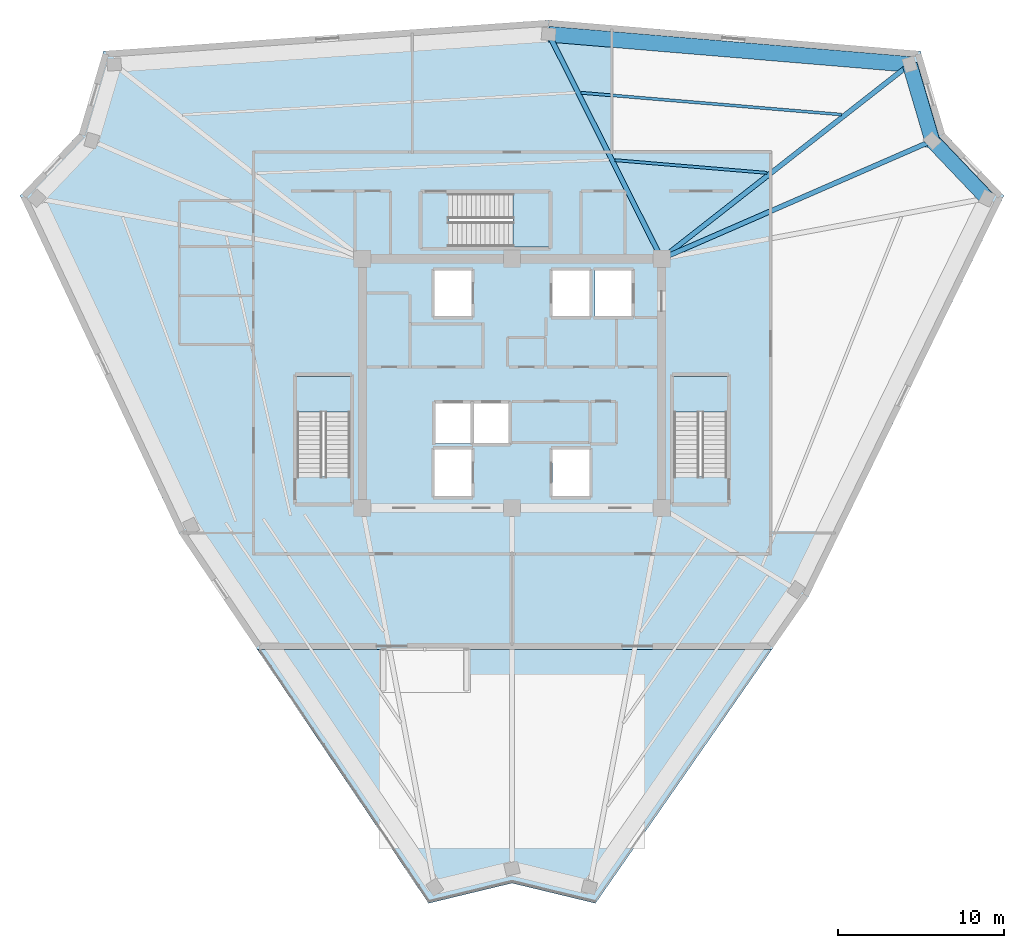
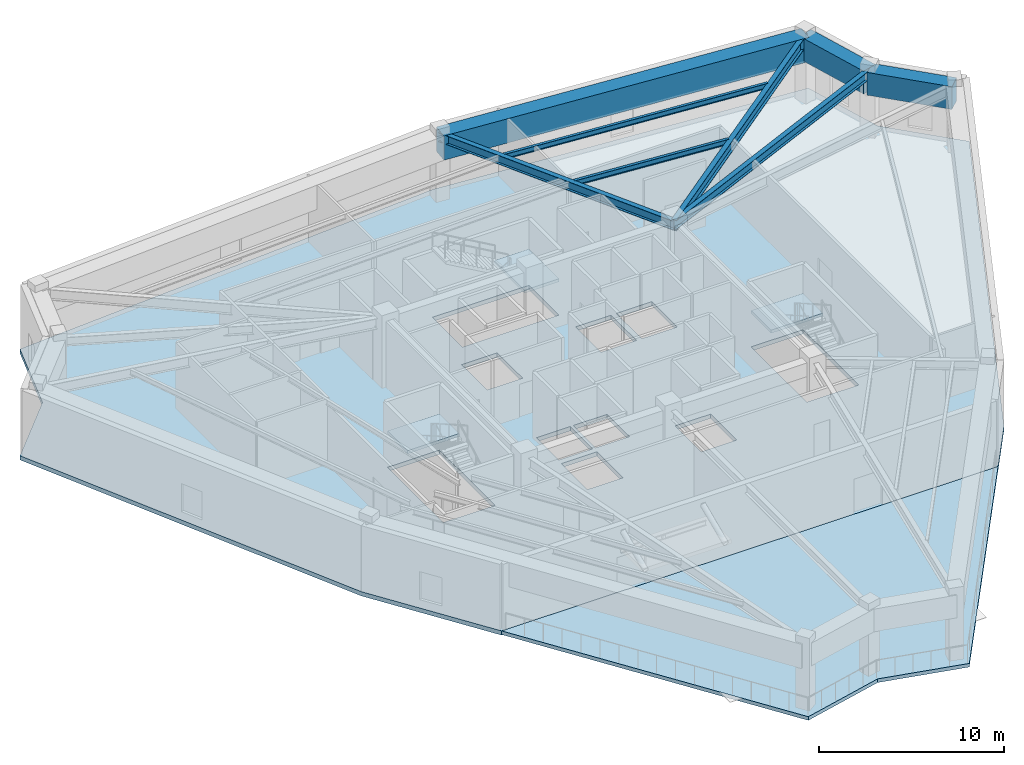
# One storey, part 2 of 12: 8 beams, 5 slabs, 3 elements without a shape of their own.
"""IFC4 building model written with IfcOpenShell, lengths in metres."""

import ifcopenshell
import ifcopenshell.guid

model = None  # the IFC model being written
_history = None  # IfcOwnerHistory: only IFC2X3 demands one
_inside = {}  # id of a spatial element -> (the spatial element, [elements in it])
_under = {}  # id of a project, library or spatial element -> (it, [spatial elements below it])
_declared = {}  # id of a project -> (the project, [libraries it declares])
_typed = {}  # id of a type object -> (the type object, [elements of that type])
_made_of = {}  # id of a material, layer set ... -> (it, [elements and type objects made of it])


def new_model(schema):
    """Start an empty IFC model of exactly this schema.

    Asked for "IFC4X3", IfcOpenShell would pick the latest addendum, in which some entities
    have other attributes; the version numbers below select the first issue.
    IFC2X3 requires an IfcOwnerHistory on every rooted entity: one is made here for all.
    """
    global model, _history
    if schema == "IFC4X3":
        model = ifcopenshell.file(schema_version=(4, 3, 0, 0))
    else:
        model = ifcopenshell.file(schema=schema)
    _inside.clear()
    _under.clear()
    _declared.clear()
    _typed.clear()
    _made_of.clear()
    _history = None
    if model.schema == "IFC2X3":
        org = make("IfcOrganization", Name="unknown")
        user = make(
            "IfcPersonAndOrganization",
            ThePerson=make("IfcPerson", FamilyName="unknown"),
            TheOrganization=org,
        )
        app = make(
            "IfcApplication",
            ApplicationDeveloper=org,
            Version="unknown",
            ApplicationFullName="unknown",
            ApplicationIdentifier="unknown",
        )
        _history = make(
            "IfcOwnerHistory",
            OwningUser=user,
            OwningApplication=app,
            ChangeAction="ADDED",
            CreationDate=0,
        )
    return model


def make(cls, **values):
    """One entity of the class cls with the attributes given. An attribute that is None is left unset."""
    return model.create_entity(
        cls, **{name: value for name, value in values.items() if value is not None}
    )


def rooted(cls, **values):
    """An entity with a GlobalId (a new one), such as an element, a storey or a relation."""
    return make(cls, GlobalId=ifcopenshell.guid.new(), OwnerHistory=_history, **values)


def si_unit(unit_type, name, prefix=None):
    """IfcSIUnit, for example si_unit("LENGTHUNIT", "METRE", prefix="MILLI")."""
    return make("IfcSIUnit", UnitType=unit_type, Prefix=prefix, Name=name)


def assignment(units):
    """IfcUnitAssignment: the units of a project."""
    return None if units is None else make("IfcUnitAssignment", Units=units)


def point(xyz):
    """IfcCartesianPoint."""
    return None if xyz is None else make("IfcCartesianPoint", Coordinates=xyz)


def direction(xyz):
    """IfcDirection."""
    return None if xyz is None else make("IfcDirection", DirectionRatios=xyz)


def frame(location, z_axis=None, x_axis=None):
    """IfcAxis2Placement3D, a coordinate frame: its origin and axes. An axis left out is left unset."""
    return make(
        "IfcAxis2Placement3D",
        Location=point(location),
        Axis=direction(z_axis),
        RefDirection=direction(x_axis),
    )


def frame_2d(location, x_axis=None):
    """IfcAxis2Placement2D, a coordinate frame in the plane: its origin and x axis."""
    return make(
        "IfcAxis2Placement2D", Location=point(location), RefDirection=direction(x_axis)
    )


def origin():
    """The frame at (0, 0, 0) with its axes left unset."""
    return frame((0.0, 0.0, 0.0))


def origin_2d():
    """The frame at (0, 0) in the plane with its x axis left unset."""
    return frame_2d((0.0, 0.0))


def place(relative_to, where):
    """IfcLocalPlacement: puts the frame where relative to a parent placement (None: the world)."""
    return make(
        "IfcLocalPlacement", PlacementRelTo=relative_to, RelativePlacement=where
    )


def context(
    kind, dimensions, precision=None, world=None, true_north=None, identifier=None
):
    """IfcGeometricRepresentationContext, for example the 3D "Model" context."""
    return make(
        "IfcGeometricRepresentationContext",
        ContextIdentifier=identifier,
        ContextType=kind,
        CoordinateSpaceDimension=dimensions,
        Precision=precision,
        WorldCoordinateSystem=world,
        TrueNorth=true_north,
    )


def subcontext(parent, identifier, kind, view, scale=None):
    """IfcGeometricRepresentationSubContext, for example "Body" below "Model"."""
    return make(
        "IfcGeometricRepresentationSubContext",
        ContextIdentifier=identifier,
        ContextType=kind,
        ParentContext=parent,
        TargetScale=scale,
        TargetView=view,
    )


def project(units=None, contexts=None):
    """IfcProject with its units and contexts."""
    return rooted(
        "IfcProject",
        Name="project",
        RepresentationContexts=contexts,
        UnitsInContext=assignment(units),
    )


def spatial(cls, under=None, at=None, **own):
    """A site, building, storey or space (cls), placed at a placement, below another one or the project."""
    s = rooted(cls, ObjectPlacement=at, **own)
    if under is not None:
        _under.setdefault(under.id(), (under, []))[1].append(s)
    return s


def polyline(points):
    """IfcPolyline through the points."""
    return make("IfcPolyline", Points=[point(p) for p in points])


def profile(cls, at=None, kind="AREA", **sizes):
    """A parametric profile (cls). Its sizes go by their IFC names, for example OverallWidth=200.0."""
    return make(cls, ProfileType=kind, Position=at, **sizes)


def rectangle(**sizes):
    """IfcRectangleProfileDef."""
    return profile("IfcRectangleProfileDef", **sizes)


def i_section(**sizes):
    """IfcIShapeProfileDef."""
    return profile("IfcIShapeProfileDef", **sizes)


def outline(outer, holes=None, kind="AREA"):
    """IfcArbitraryClosedProfileDef: a profile drawn as a closed curve; with holes, ...WithVoids."""
    if holes is None:
        return make("IfcArbitraryClosedProfileDef", ProfileType=kind, OuterCurve=outer)
    return make(
        "IfcArbitraryProfileDefWithVoids",
        ProfileType=kind,
        OuterCurve=outer,
        InnerCurves=holes,
    )


def extrude(swept, where, along, depth):
    """IfcExtrudedAreaSolid: the profile swept, set in the frame where, extruded along a direction by depth."""
    return make(
        "IfcExtrudedAreaSolid",
        SweptArea=swept,
        Position=where,
        ExtrudedDirection=direction(along),
        Depth=depth,
    )


def shape(context_of_items, identifier, shape_type, items):
    """IfcShapeRepresentation: the items that make up one representation, for example the "Body"."""
    return make(
        "IfcShapeRepresentation",
        ContextOfItems=context_of_items,
        RepresentationIdentifier=identifier,
        RepresentationType=shape_type,
        Items=items,
    )


def source(mapping_origin, context_of_items, identifier, shape_type, items):
    """IfcRepresentationMap: a shape defined once, which mapped items show again and again."""
    return make(
        "IfcRepresentationMap",
        MappingOrigin=mapping_origin,
        MappedRepresentation=shape(context_of_items, identifier, shape_type, items),
    )


def transform(
    local_origin,
    x_axis=None,
    y_axis=None,
    z_axis=None,
    scale=None,
    scale2=None,
    scale3=None,
    uniform=True,
):
    """IfcCartesianTransformationOperator3D, or its non-uniform kind. x_axis, y_axis, z_axis: its Axis1, 2, 3."""
    if uniform:
        return make(
            "IfcCartesianTransformationOperator3D",
            Axis1=direction(x_axis),
            Axis2=direction(y_axis),
            LocalOrigin=point(local_origin),
            Scale=scale,
            Axis3=direction(z_axis),
        )
    return make(
        "IfcCartesianTransformationOperator3DnonUniform",
        Axis1=direction(x_axis),
        Axis2=direction(y_axis),
        LocalOrigin=point(local_origin),
        Scale=scale,
        Axis3=direction(z_axis),
        Scale2=scale2,
        Scale3=scale3,
    )


def mapped(mapping_source, mapping_target):
    """IfcMappedItem: shows the shape of a source again, moved by a transform."""
    return make(
        "IfcMappedItem", MappingSource=mapping_source, MappingTarget=mapping_target
    )


def material(Name=None, Category=None):
    """IfcMaterial."""
    return make("IfcMaterial", Name=Name, Category=Category)


def layer(
    of_material, thickness, ventilated=None, Name=None, Category=None, Priority=None
):
    """IfcMaterialLayer: one layer of a wall or slab, of a material (None: an air gap)."""
    return make(
        "IfcMaterialLayer",
        Material=of_material,
        LayerThickness=thickness,
        IsVentilated=ventilated,
        Name=Name,
        Category=Category,
        Priority=Priority,
    )


def layer_set(layers, Name=None):
    """IfcMaterialLayerSet."""
    return make("IfcMaterialLayerSet", MaterialLayers=layers, LayerSetName=Name)


def material_profile(
    of_material, cross_section, Name=None, Category=None, Priority=None
):
    """IfcMaterialProfile: a cross section and its material."""
    return make(
        "IfcMaterialProfile",
        Name=Name,
        Material=of_material,
        Profile=cross_section,
        Priority=Priority,
        Category=Category,
    )


def profile_set(profiles, Name=None, composite=None):
    """IfcMaterialProfileSet."""
    return make(
        "IfcMaterialProfileSet",
        Name=Name,
        MaterialProfiles=profiles,
        CompositeProfile=composite,
    )


def made_of(thing, what):
    """Note that an element or type object is made of a material, layer set ...; save() writes the relation."""
    if what is not None:
        _made_of.setdefault(what.id(), (what, []))[1].append(thing)
    return thing


def type_object(cls, material=None, **own):
    """A type object (cls), such as IfcWallType, which elements share."""
    return made_of(rooted(cls, **own), material)


def element(
    cls,
    number,
    at=None,
    inside=None,
    cuts=None,
    type_object=None,
    material=None,
    context=None,
    identifier="Body",
    shape_type=None,
    held_by="IfcProductDefinitionShape",
    body=None,
    shapes=None,
    **own,
):
    """One element of the class cls, such as IfcWall. Its Tag is "e" and its number.

    at: its placement. inside: the storey or other place that contains it. cuts: it is an
    opening in that element (IfcRelVoidsElement). A single representation is given by context,
    identifier, shape_type and body (its items); several are given by shapes. held_by: the class
    of the entity that holds the representations. save() writes the other relations.
    """
    e = rooted(cls, Tag="e%d" % number, ObjectPlacement=at, **own)
    if body is not None:
        shapes = [shape(context, identifier, shape_type, body)]
    if shapes is not None:
        e.Representation = make(held_by, Representations=shapes)
    if inside is not None:
        _inside.setdefault(inside.id(), (inside, []))[1].append(e)
    if cuts is not None:
        rooted(
            "IfcRelVoidsElement", RelatingBuildingElement=cuts, RelatedOpeningElement=e
        )
    if type_object is not None:
        _typed.setdefault(type_object.id(), (type_object, []))[1].append(e)
    return made_of(e, material)


def aggregate(whole, parts):
    """IfcRelAggregates: a whole, such as a stair, and the parts it consists of."""
    return rooted("IfcRelAggregates", RelatingObject=whole, RelatedObjects=parts)


def save(model, path):
    """Write the relations noted so far, then the file.

    IfcRelAggregates (storeys below a building ...), IfcRelContainedInSpatialStructure (elements
    in a storey), IfcRelDefinesByType, IfcRelAssociatesMaterial and IfcRelDeclares: one each for
    every whole, place, type object, material and project.
    """
    for whole, parts in _under.values():
        aggregate(whole, parts)
    for where, things in _inside.values():
        rooted(
            "IfcRelContainedInSpatialStructure",
            RelatedElements=things,
            RelatingStructure=where,
        )
    for kind, things in _typed.values():
        rooted("IfcRelDefinesByType", RelatedObjects=things, RelatingType=kind)
    for what, things in _made_of.values():
        rooted("IfcRelAssociatesMaterial", RelatedObjects=things, RelatingMaterial=what)
    for by, libraries in _declared.values():
        rooted("IfcRelDeclares", RelatingContext=by, RelatedDefinitions=libraries)
    model.write(path)


model = new_model("IFC4")

# Units and contexts
model_context = context("Model", 3, precision=1e-05, world=origin(), true_north=direction((0.0, 1.0)))
body_context = subcontext(model_context, "Body", "Model", "MODEL_VIEW")
ifc_project = project(units=[si_unit("LENGTHUNIT", "METRE"), si_unit("AREAUNIT", "SQUARE_METRE"), si_unit("VOLUMEUNIT", "CUBIC_METRE"), si_unit("PLANEANGLEUNIT", "RADIAN"), si_unit("MASSUNIT", "GRAM", prefix="KILO")], contexts=[model_context])

# Site, building, storey
site_placement = place(None, origin())
site = spatial("IfcSite", under=ifc_project, at=site_placement, CompositionType="ELEMENT")
building_placement = place(site_placement, origin())
building = spatial("IfcBuilding", under=site, at=building_placement, Name="Liaohun Quay Tower", CompositionType="ELEMENT")
storey_placement = place(building_placement, frame((0.0, 0.0, 355.800048828125)))
storey = spatial("IfcBuildingStorey", under=building, at=storey_placement, Name="L92", CompositionType="ELEMENT", Elevation=355.800048828125)

# Beams
ifc_material_1 = material(Name="Concrete C55", Category="concrete")
ifc_material_profile_1 = material_profile(ifc_material_1, rectangle(XDim=0.949951171875, YDim=1.60009765625, at=origin_2d()), Name="RC950x1600")
ifc_profile_set_1 = profile_set([ifc_material_profile_1], Name="Concrete C55")
beam_type_1 = type_object("IfcBeamType", Name="BM-CAN-LNG", PredefinedType="SPANDREL", material=ifc_profile_set_1)
shared_shape_1 = source(origin(), body_context, "Body", "SweptSolid", [
    extrude(rectangle(XDim=0.949951171875, YDim=1.60009765625, at=origin_2d()), origin(), (0.0, 0.0, 1.0), 21.802978515625),
])
beam_1_placement = place(storey_placement, frame((62.20703125, 75.012939453125, 3.550048828125), z_axis=(0.996514334096, -0.083421711453, 0.0), x_axis=(0.083421711453, 0.996514334096, 0.0)))
element("IfcBeam", 1, at=beam_1_placement, inside=storey, type_object=beam_type_1, Name="L92 Precast Spandrel Beam PC06-PC07", PredefinedType="SPANDREL", context=body_context, shape_type="MappedRepresentation", body=[
    mapped(shared_shape_1, transform((0.0, 0.0, 0.0), x_axis=(1.0, 0.0, 0.0), y_axis=(0.0, 1.0, 0.0), z_axis=(0.0, 0.0, 1.0), scale=1.0)),
])
ifc_material_profile_2 = material_profile(ifc_material_1, rectangle(XDim=0.89990234375, YDim=1.5, at=origin_2d()), Name="RC900x1500")
ifc_profile_set_2 = profile_set([ifc_material_profile_2], Name="Concrete C55")
beam_type_2 = type_object("IfcBeamType", Name="BM-CAN-RING", PredefinedType="BEAM", material=ifc_profile_set_2)
shared_shape_2 = source(origin(), body_context, "Body", "SweptSolid", [
    extrude(rectangle(XDim=0.89990234375, YDim=1.5, at=origin_2d()), origin(), (0.0, 0.0, 1.0), 4.789306640625),
])
beam_2_placement = place(storey_placement, frame((83.93408203125, 73.194091796875, 3.599853515625), z_axis=(0.282709962926, -0.959205440384, 0.0), x_axis=(0.959205440384, 0.282709962926, 0.0)))
element("IfcBeam", 2, at=beam_2_placement, inside=storey, type_object=beam_type_2, Name="L92 Precast Spandrel Beam PC07-PC08", PredefinedType="BEAM", context=body_context, shape_type="MappedRepresentation", body=[
    mapped(shared_shape_2, transform((0.0, 0.0, 0.0), x_axis=(1.0, 0.0, 0.0), y_axis=(0.0, 1.0, 0.0), z_axis=(0.0, 0.0, 1.0), scale=1.0)),
])
shared_shape_3 = source(origin(), body_context, "Body", "SweptSolid", [
    extrude(rectangle(XDim=0.89990234375, YDim=1.5, at=origin_2d()), origin(), (0.0, 0.0, 1.0), 4.780029296875),
])
beam_3_placement = place(storey_placement, frame((85.2880859375, 68.60009765625, 3.599853515625), z_axis=(0.689292892883, -0.724482786422, 0.0), x_axis=(0.724482786422, 0.689292892883, 0.0)))
element("IfcBeam", 3, at=beam_3_placement, inside=storey, type_object=beam_type_2, Name="L92 Precast Spandrel Beam PC08-PC09", PredefinedType="BEAM", context=body_context, shape_type="MappedRepresentation", body=[
    mapped(shared_shape_3, transform((0.0, 0.0, 0.0), x_axis=(1.0, 0.0, 0.0), y_axis=(0.0, 1.0, 0.0), z_axis=(0.0, 0.0, 1.0), scale=1.0)),
])
ifc_material_2 = material(Name="Steel Q355D", Category="steel")
ifc_material_profile_3 = material_profile(ifc_material_2, i_section(OverallWidth=0.300048828125, OverallDepth=0.587890625, WebThickness=0.011962890625, FlangeThickness=0.02001953125, at=origin_2d()), Name="HM588x300x12x20")
ifc_profile_set_3 = profile_set([ifc_material_profile_3], Name="Steel Q355D")
beam_type_3 = type_object("IfcBeamType", Name="BM-RAD-U2", PredefinedType="BEAM", material=ifc_profile_set_3)
shared_shape_4 = source(origin(), body_context, "Body", "SweptSolid", [
    extrude(i_section(OverallWidth=0.300048828125, OverallDepth=0.587890625, WebThickness=0.011962890625, FlangeThickness=0.02001953125, at=origin_2d()), origin(), (0.0, 0.0, 1.0), 17.768310546875),
])
beam_4_placement = place(storey_placement, frame((69.0, 61.5, 4.055908203125), z_axis=(0.916692609329, 0.39959311806, 0.0), x_axis=(-0.39959311806, 0.916692609329, 0.0)))
element("IfcBeam", 4, at=beam_4_placement, inside=storey, type_object=beam_type_3, Name="L92 Radial Primary Girder CC4-PC08", PredefinedType="BEAM", context=body_context, shape_type="MappedRepresentation", body=[
    mapped(shared_shape_4, transform((0.0, 0.0, 0.0), x_axis=(1.0, 0.0, 0.0), y_axis=(0.0, 1.0, 0.0), z_axis=(0.0, 0.0, 1.0), scale=1.0)),
])
shared_shape_5 = source(origin(), body_context, "Body", "SweptSolid", [
    extrude(i_section(OverallWidth=0.300048828125, OverallDepth=0.587890625, WebThickness=0.011962890625, FlangeThickness=0.02001953125, at=origin_2d()), origin(), (0.0, 0.0, 1.0), 15.124267578125),
])
beam_5_placement = place(storey_placement, frame((69.0, 61.5, 4.055908203125), z_axis=(-0.449143171983, 0.893459798234, 0.0), x_axis=(-0.893459798234, -0.449143171983, 0.0)))
element("IfcBeam", 5, at=beam_5_placement, inside=storey, type_object=beam_type_3, Name="L92 Radial Primary Girder CC4-PC06", PredefinedType="BEAM", context=body_context, shape_type="MappedRepresentation", body=[
    mapped(shared_shape_5, transform((0.0, 0.0, 0.0), x_axis=(1.0, 0.0, 0.0), y_axis=(0.0, 1.0, 0.0), z_axis=(0.0, 0.0, 1.0), scale=1.0)),
])
ifc_material_profile_4 = material_profile(ifc_material_2, i_section(OverallWidth=0.300048828125, OverallDepth=0.699951171875, WebThickness=0.012939453125, FlangeThickness=0.02392578125, at=origin_2d()), Name="HN700x300x13x24")
ifc_profile_set_4 = profile_set([ifc_material_profile_4], Name="Steel Q355D")
beam_type_4 = type_object("IfcBeamType", Name="BM-RAD-U1", PredefinedType="BEAM", material=ifc_profile_set_4)
shared_shape_6 = source(origin(), body_context, "Body", "SweptSolid", [
    extrude(i_section(OverallWidth=0.300048828125, OverallDepth=0.699951171875, WebThickness=0.012939453125, FlangeThickness=0.02392578125, at=origin_2d()), origin(), (0.0, 0.0, 1.0), 18.9677734375),
])
beam_6_placement = place(storey_placement, frame((69.0, 61.5, 4.0), z_axis=(0.787337388481, 0.616522373236, 0.0), x_axis=(-0.616522373236, 0.787337388481, 0.0)))
element("IfcBeam", 6, at=beam_6_placement, inside=storey, type_object=beam_type_4, Name="L92 Radial Primary Girder CC4-PC07", PredefinedType="BEAM", context=body_context, shape_type="MappedRepresentation", body=[
    mapped(shared_shape_6, transform((0.0, 0.0, 0.0), x_axis=(1.0, 0.0, 0.0), y_axis=(0.0, 1.0, 0.0), z_axis=(0.0, 0.0, 1.0), scale=1.0)),
])
ifc_material_profile_5 = material_profile(ifc_material_2, i_section(OverallWidth=0.175048828125, OverallDepth=0.35009765625, WebThickness=0.007080078125, FlangeThickness=0.010986328125, at=origin_2d()), Name="HN350x175x7x11")
ifc_profile_set_5 = profile_set([ifc_material_profile_5], Name="Steel Q355D")
beam_type_5 = type_object("IfcBeamType", Name="BM-SEC-J3", PredefinedType="JOIST", material=ifc_profile_set_5)
shared_shape_7 = source(origin(), body_context, "Body", "SweptSolid", [
    extrude(i_section(OverallWidth=0.175048828125, OverallDepth=0.35009765625, WebThickness=0.007080078125, FlangeThickness=0.010986328125, at=origin_2d()), origin(), (0.0, 0.0, 1.0), 9.197021484375),
])
beam_7_placement = place(storey_placement, frame((66.18603515625, 67.430908203125, 4.175048828125), z_axis=(0.996517875298, -0.083379399209, 0.0), x_axis=(0.083379399209, 0.996517875298, 0.0)))
element("IfcBeam", 7, at=beam_7_placement, inside=storey, type_object=beam_type_5, Name="L92 Wing Secondary Floor Joist SJ-08", PredefinedType="JOIST", context=body_context, shape_type="MappedRepresentation", body=[
    mapped(shared_shape_7, transform((0.0, 0.0, 0.0), x_axis=(1.0, 0.0, 0.0), y_axis=(0.0, 1.0, 0.0), z_axis=(0.0, 0.0, 1.0), scale=1.0)),
])
shared_shape_8 = source(origin(), body_context, "Body", "SweptSolid", [
    extrude(i_section(OverallWidth=0.175048828125, OverallDepth=0.35009765625, WebThickness=0.007080078125, FlangeThickness=0.010986328125, at=origin_2d()), origin(), (0.0, 0.0, 1.0), 15.738037109375),
])
beam_8_placement = place(storey_placement, frame((64.14794921875, 71.485107421875, 4.175048828125), z_axis=(0.996513803248, -0.083428052459, 0.0), x_axis=(0.083428052459, 0.996513803248, 0.0)))
element("IfcBeam", 8, at=beam_8_placement, inside=storey, type_object=beam_type_5, Name="L92 Wing Secondary Floor Joist SJ-09", PredefinedType="JOIST", context=body_context, shape_type="MappedRepresentation", body=[
    mapped(shared_shape_8, transform((0.0, 0.0, 0.0), x_axis=(1.0, 0.0, 0.0), y_axis=(0.0, 1.0, 0.0), z_axis=(0.0, 0.0, 1.0), scale=1.0)),
])

# Stair, slab
ifc_material_3 = material(Name="Concrete C45", Category="concrete")
stair_type = type_object("IfcStairType", Name="STR-CORE-CRN", PredefinedType="HALF_TURN_STAIR", material=ifc_material_3)
stair_1_placement = place(storey_placement, origin())
stair_1 = element("IfcStair", 9, at=stair_1_placement, inside=storey, type_object=stair_type, Name="L92 Smokeproof Core Exit Stair ST-1", PredefinedType="HALF_TURN_STAIR")
ifc_layer_1 = layer(ifc_material_3, 0.199951171875, Name="Concrete C45", Category="concrete")
ifc_layer_set_1 = layer_set([ifc_layer_1], Name="Concrete C45")
slab_type_1 = type_object("IfcSlabType", Name="SLB-LND-200", PredefinedType="LANDING", material=ifc_layer_set_1)
slab_1_placement = place(storey_placement, frame((0.0, 0.0, 2.199951171875)))
slab_1 = element("IfcSlab", 10, at=slab_1_placement, type_object=slab_type_1, Name="ST-1 landing 1", PredefinedType="LANDING", context=body_context, shape_type="SweptSolid", body=[
    extrude(outline(polyline([(50.280029296875, 52.27001953125), (50.280029296875, 54.419921875), (47.0400390625, 54.419921875), (47.0400390625, 52.27001953125), (50.280029296875, 52.27001953125)])), origin(), (0.0, 0.0, 1.0), 0.199951171875),
])
aggregate(stair_1, [slab_1])

stair_2_placement = place(storey_placement, origin())
stair_2 = element("IfcStair", 11, at=stair_2_placement, inside=storey, type_object=stair_type, Name="L92 Smokeproof Core Exit Stair ST-2", PredefinedType="HALF_TURN_STAIR")
slab_2_placement = place(storey_placement, frame((0.0, 0.0, 2.199951171875)))
slab_2 = element("IfcSlab", 12, at=slab_2_placement, type_object=slab_type_1, Name="ST-2 landing 1", PredefinedType="LANDING", context=body_context, shape_type="SweptSolid", body=[
    extrude(outline(polyline([(72.9599609375, 52.27001953125), (72.9599609375, 54.419921875), (69.719970703125, 54.419921875), (69.719970703125, 52.27001953125), (72.9599609375, 52.27001953125)])), origin(), (0.0, 0.0, 1.0), 0.199951171875),
])
aggregate(stair_2, [slab_2])

stair_3_placement = place(storey_placement, origin())
stair_3 = element("IfcStair", 13, at=stair_3_placement, inside=storey, type_object=stair_type, Name="L92 Smokeproof Core Exit Stair ST-3", PredefinedType="HALF_TURN_STAIR")
slab_3_placement = place(storey_placement, frame((0.0, 0.0, 2.199951171875)))
slab_3 = element("IfcSlab", 14, at=slab_3_placement, type_object=slab_type_1, Name="ST-3 landing 1", PredefinedType="LANDING", context=body_context, shape_type="SweptSolid", body=[
    extrude(outline(polyline([(60.070068359375, 62.199951171875), (62.219970703125, 62.199951171875), (62.219970703125, 65.43994140625), (60.070068359375, 65.43994140625), (60.070068359375, 62.199951171875)])), origin(), (0.0, 0.0, 1.0), 0.199951171875),
])
aggregate(stair_3, [slab_3])

# Slabs
ifc_material_4 = material(Name="Concrete C50", Category="concrete")
ifc_layer_2 = layer(ifc_material_4, 0.280029296875, Name="Concrete C50", Category="concrete")
ifc_layer_set_2 = layer_set([ifc_layer_2], Name="Concrete C50")
slab_type_2 = type_object("IfcSlabType", Name="SLB-REF-280", PredefinedType="FLOOR", material=ifc_layer_set_2)
slab_4_placement = place(storey_placement, frame((0.0, 0.0, -0.280029296875)))
element("IfcSlab", 15, at=slab_4_placement, inside=storey, type_object=slab_type_2, Name="L92 Sky Belvedere Pavilion Floor Slab", PredefinedType="FLOOR", context=body_context, shape_type="SweptSolid", body=[
    extrude(outline(polyline([(44.66796875, 38.0), (75.64111328125, 38.0), (77.830078125, 41.15087890625), (89.60595703125, 65.294921875), (86.044921875, 69.037109375), (84.5849609375, 73.991943359375), (62.212890625, 75.864990234375), (35.4150390625, 73.991943359375), (33.955078125, 69.037109375), (30.39404296875, 65.294921875), (39.9580078125, 44.98388671875), (44.66796875, 38.0)]), holes=[polyline([(57.56005859375, 50.030029296875), (55.340087890625, 50.030029296875), (55.340087890625, 47.2099609375), (57.56005859375, 47.2099609375), (57.56005859375, 50.030029296875)]), polyline([(64.659912109375, 50.030029296875), (62.43994140625, 50.030029296875), (62.43994140625, 47.2099609375), (64.659912109375, 47.2099609375), (64.659912109375, 50.030029296875)]), polyline([(47.0400390625, 54.419921875), (47.0400390625, 48.409912109375), (50.280029296875, 48.409912109375), (50.280029296875, 54.419921875), (47.0400390625, 54.419921875)]), polyline([(72.9599609375, 54.419921875), (69.719970703125, 54.419921875), (69.719970703125, 48.409912109375), (72.9599609375, 48.409912109375), (72.9599609375, 54.419921875)]), polyline([(57.510009765625, 50.389892578125), (57.510009765625, 52.81005859375), (55.389892578125, 52.81005859375), (55.389892578125, 50.389892578125), (57.510009765625, 50.389892578125)]), polyline([(59.81005859375, 52.81005859375), (57.68994140625, 52.81005859375), (57.68994140625, 50.389892578125), (59.81005859375, 50.389892578125), (59.81005859375, 52.81005859375)]), polyline([(57.56005859375, 60.7900390625), (55.340087890625, 60.7900390625), (55.340087890625, 58.0400390625), (57.56005859375, 58.0400390625), (57.56005859375, 60.7900390625)]), polyline([(64.659912109375, 60.7900390625), (62.43994140625, 60.7900390625), (62.43994140625, 58.0400390625), (64.659912109375, 58.0400390625), (64.659912109375, 60.7900390625)]), polyline([(67.2099609375, 58.0400390625), (67.2099609375, 60.7900390625), (64.989990234375, 60.7900390625), (64.989990234375, 58.0400390625), (67.2099609375, 58.0400390625)]), polyline([(62.219970703125, 62.199951171875), (62.219970703125, 65.43994140625), (56.2099609375, 65.43994140625), (56.2099609375, 62.199951171875), (62.219970703125, 62.199951171875)])]), origin(), (0.0, 0.0, 1.0), 0.280029296875),
])
ifc_layer_3 = layer(ifc_material_4, 0.239990234375, Name="Concrete C50", Category="concrete")
ifc_layer_set_3 = layer_set([ifc_layer_3], Name="Concrete C50")
slab_type_3 = type_object("IfcSlabType", Name="SLB-TER-240", PredefinedType="ROOF", material=ifc_layer_set_3)
slab_5_placement = place(storey_placement, frame((0.0, 0.0, -0.239990234375)))
element("IfcSlab", 16, at=slab_5_placement, inside=storey, type_object=slab_type_3, Name="L92 Waterfront Observation Lookout Terrace", PredefinedType="ROOF", context=body_context, shape_type="SweptSolid", body=[
    extrude(outline(polyline([(75.64111328125, 38.0), (44.66796875, 38.0), (54.97900390625, 22.712890625), (60.0, 23.925048828125), (65.02099609375, 22.712890625), (75.64111328125, 38.0)])), origin(), (0.0, 0.0, 1.0), 0.239990234375),
])

save(model, "model.ifc")
